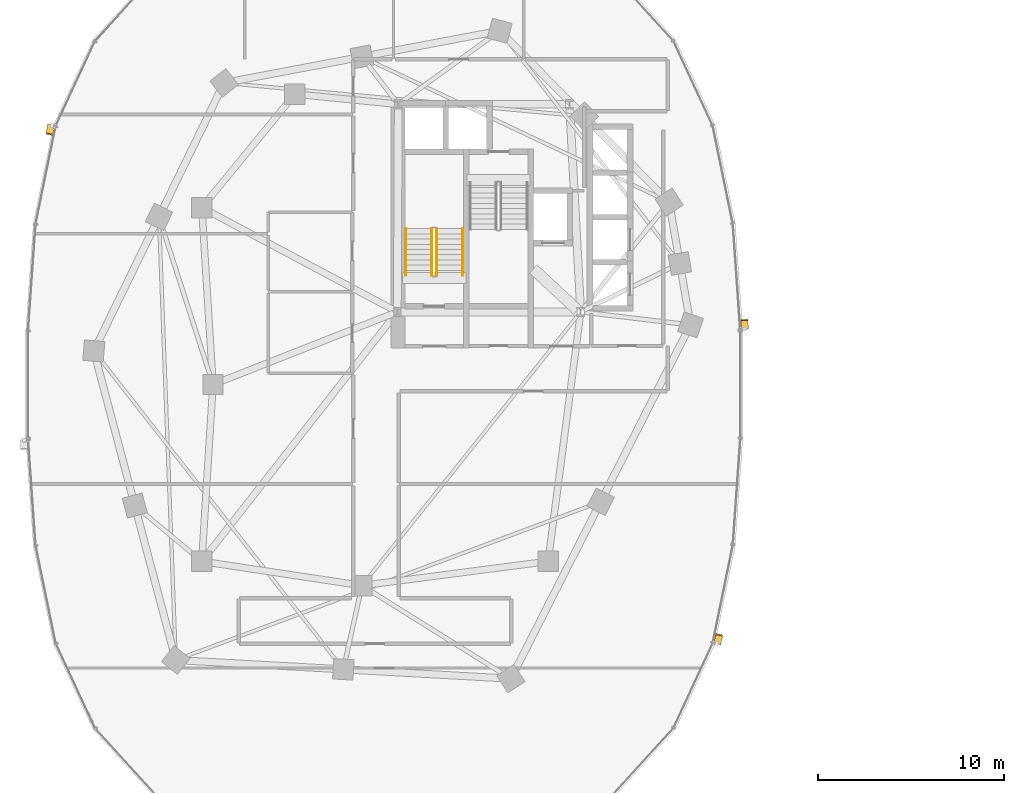
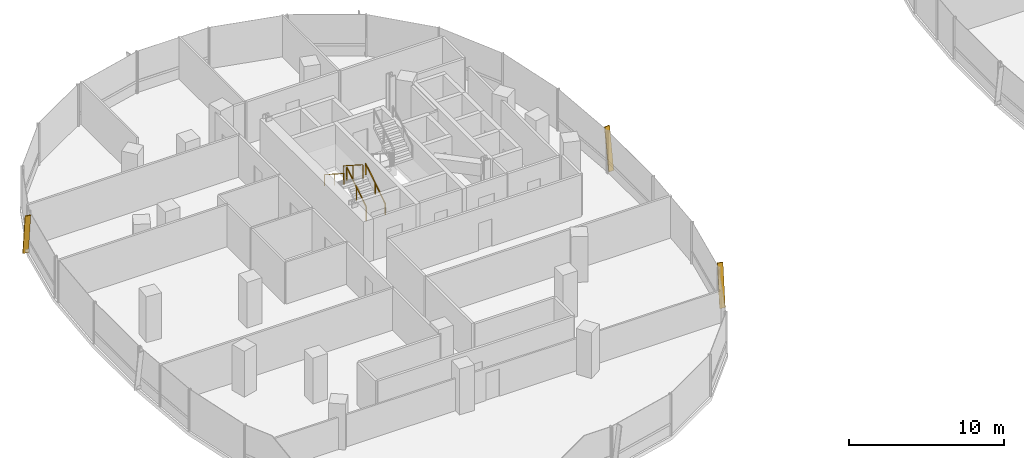
# One storey, part 18 of 21: 4 railings, 3 shading devices.
"""IFC4 building model written with IfcOpenShell, lengths in metres."""

from ifc_helpers import new_model, si_unit, direction, frame, origin, origin_2d, place, context, subcontext, project, spatial, rectangle, extrude, material, material_profile, profile_set, type_object, element, save


model = new_model("IFC4")

# Units and contexts
model_context = context("Model", 3, precision=1e-05, world=origin(), true_north=direction((0.0, 1.0)))
body_context = subcontext(model_context, "Body", "Model", "MODEL_VIEW")
ifc_project = project(units=[si_unit("LENGTHUNIT", "METRE"), si_unit("AREAUNIT", "SQUARE_METRE"), si_unit("VOLUMEUNIT", "CUBIC_METRE"), si_unit("PLANEANGLEUNIT", "RADIAN"), si_unit("MASSUNIT", "GRAM", prefix="KILO"), si_unit("THERMODYNAMICTEMPERATUREUNIT", "KELVIN"), si_unit("POWERUNIT", "WATT")], contexts=[model_context])

# Site, building, storey
site_placement = place(None, origin())
site = spatial("IfcSite", under=ifc_project, at=site_placement, CompositionType="ELEMENT")
building_placement = place(site_placement, origin())
building = spatial("IfcBuilding", under=site, at=building_placement, Name="Cundina Bronze Exchange", CompositionType="ELEMENT")
storey_placement = place(building_placement, frame((0.0, 0.0, 117.800048828125)))
storey = spatial("IfcBuildingStorey", under=building, at=storey_placement, Name="L30", CompositionType="ELEMENT", Elevation=117.800048828125)

# Railings
ifc_material_1 = material(Name="Steel ASTM A36 Painted", Category="steel")
railing_type_1 = type_object("IfcRailingType", Name="RLG-HND-900", PredefinedType="HANDRAIL", material=ifc_material_1)
railing_1_placement = place(storey_placement, frame((-27.7900390625, 5.85009765625, 0.179931640625)))
element("IfcRailing", 1, at=railing_1_placement, inside=storey, type_object=railing_type_1, Name="L30 ST-W1 stair handrail 1", PredefinedType="HANDRAIL", context=body_context, shape_type="SweptSolid", body=[
    extrude(rectangle(XDim=0.048095703125, YDim=0.048095703125, at=origin_2d()), frame((0.0, 0.0, 0.8759765625), z_axis=(0.0, 0.841162588446, 0.540782303519), x_axis=(-1.0, 0.0, 0.0)), (0.0, 0.0, 1.0), 2.995849609375),
    extrude(rectangle(XDim=0.0419921875, YDim=0.0419921875, at=origin_2d()), origin(), (0.0, 0.0, 1.0), 0.851806640625),
    extrude(rectangle(XDim=0.0419921875, YDim=0.0419921875, at=origin_2d()), frame((0.0, 1.260009765625, 0.81005859375)), (0.0, 0.0, 1.0), 0.851806640625),
    extrude(rectangle(XDim=0.0419921875, YDim=0.0419921875, at=origin_2d()), frame((0.0, 2.52001953125, 1.6201171875)), (0.0, 0.0, 1.0), 0.851806640625),
])
railing_2_placement = place(storey_placement, frame((-30.85009765625, 8.3701171875, 1.97998046875)))
element("IfcRailing", 2, at=railing_2_placement, inside=storey, type_object=railing_type_1, Name="L30 ST-W1 stair handrail 2", PredefinedType="HANDRAIL", context=body_context, shape_type="SweptSolid", body=[
    extrude(rectangle(XDim=0.048095703125, YDim=0.048095703125, at=origin_2d()), frame((0.0, 0.0, 0.8759765625), z_axis=(0.0, -0.841199657755, 0.540724639528), x_axis=(1.0, 0.0, 0.0)), (0.0, 0.0, 1.0), 2.995849609375),
    extrude(rectangle(XDim=0.0419921875, YDim=0.0419921875, at=origin_2d()), origin(), (0.0, 0.0, 1.0), 0.851806640625),
    extrude(rectangle(XDim=0.0419921875, YDim=0.0419921875, at=origin_2d()), frame((0.0, -1.260009765625, 0.81005859375)), (0.0, 0.0, 1.0), 0.851806640625),
    extrude(rectangle(XDim=0.0419921875, YDim=0.0419921875, at=origin_2d()), frame((0.0, -2.52001953125, 1.619873046875)), (0.0, 0.0, 1.0), 0.851806640625),
])
railing_type_2 = type_object("IfcRailingType", Name="RLG-STG-1100", PredefinedType="GUARDRAIL", material=ifc_material_1)
railing_3_placement = place(storey_placement, frame((-29.18994140625, 5.85009765625, 0.179931640625)))
element("IfcRailing", 3, at=railing_3_placement, inside=storey, type_object=railing_type_2, Name="L30 ST-W1 stair guard 1", PredefinedType="GUARDRAIL", context=body_context, shape_type="SweptSolid", body=[
    extrude(rectangle(XDim=0.048095703125, YDim=0.048095703125, at=origin_2d()), frame((0.0, 0.0, 1.076171875), z_axis=(0.0, 0.841162588446, 0.540782303519), x_axis=(-1.0, 0.0, 0.0)), (0.0, 0.0, 1.0), 2.995849609375),
    extrude(rectangle(XDim=0.0419921875, YDim=0.0419921875, at=origin_2d()), origin(), (0.0, 0.0, 1.0), 1.052001953125),
    extrude(rectangle(XDim=0.0419921875, YDim=0.0419921875, at=origin_2d()), frame((0.0, 1.260009765625, 0.81005859375)), (0.0, 0.0, 1.0), 1.052001953125),
    extrude(rectangle(XDim=0.0419921875, YDim=0.0419921875, at=origin_2d()), frame((0.0, 2.52001953125, 1.6201171875)), (0.0, 0.0, 1.0), 1.052001953125),
])
railing_4_placement = place(storey_placement, frame((-29.449951171875, 8.3701171875, 1.97998046875)))
element("IfcRailing", 4, at=railing_4_placement, inside=storey, type_object=railing_type_2, Name="L30 ST-W1 stair guard 3", PredefinedType="GUARDRAIL", context=body_context, shape_type="SweptSolid", body=[
    extrude(rectangle(XDim=0.048095703125, YDim=0.048095703125, at=origin_2d()), frame((0.0, 0.0, 1.076171875), z_axis=(0.0, -0.841199657755, 0.540724639528), x_axis=(1.0, 0.0, 0.0)), (0.0, 0.0, 1.0), 2.995849609375),
    extrude(rectangle(XDim=0.0419921875, YDim=0.0419921875, at=origin_2d()), origin(), (0.0, 0.0, 1.0), 1.052001953125),
    extrude(rectangle(XDim=0.0419921875, YDim=0.0419921875, at=origin_2d()), frame((0.0, -1.260009765625, 0.81005859375)), (0.0, 0.0, 1.0), 1.052001953125),
    extrude(rectangle(XDim=0.0419921875, YDim=0.0419921875, at=origin_2d()), frame((0.0, -2.52001953125, 1.619873046875)), (0.0, 0.0, 1.0), 1.052001953125),
])

# Shading devices
ifc_material_2 = material(Name="Anodised Bronze Aluminium 6063-T6", Category="aluminium")
ifc_material_profile = material_profile(ifc_material_2, rectangle(XDim=0.070068359375, YDim=0.3798828125, at=origin_2d()), Name="FIN70X380", Category="aluminium")
ifc_profile_set = profile_set([ifc_material_profile], Name="Anodised Bronze Aluminium 6063-T6")
shading_device_type = type_object("IfcShadingDeviceType", Name="SHD-FIN-BRZ380", PredefinedType="USERDEFINED", material=ifc_profile_set)
for number, where, z_axis, x_axis, name in (
    (5, (-12.6259765625, 2.993896484375, 0.02001953125), (-0.010224545828, 0.145292278041, 0.989335945271), (0.069450050635, -0.986895284755, 0.145651595925), "L30 Diagonal Bronze Solar Fin 1"),
    (6, (-49.89599609375, 13.911865234375, 0.02001953125), (-0.029413888538, -0.142698109128, 0.989329102378), (0.199728220342, 0.968958570224, 0.145698068578), "L30 Diagonal Bronze Solar Fin 5"),
    (7, (-14.10400390625, -13.911865234375, 0.02001953125), (0.029413888538, 0.142698109128, 0.989329102378), (-0.199728220342, -0.968958570224, 0.145698068578), "L30 Diagonal Bronze Solar Fin 5"),
):
    element("IfcShadingDevice", number, at=place(storey_placement, frame(where, z_axis=z_axis, x_axis=x_axis)), inside=storey, type_object=shading_device_type, Name=name, ObjectType="FIN", PredefinedType="USERDEFINED", context=body_context, shape_type="SweptSolid", body=[
        extrude(rectangle(XDim=0.070068359375, YDim=0.3798828125, at=origin_2d()), origin(), (0.0, 0.0, 1.0), 3.295166015625),
    ])

save(model, "model.ifc")
